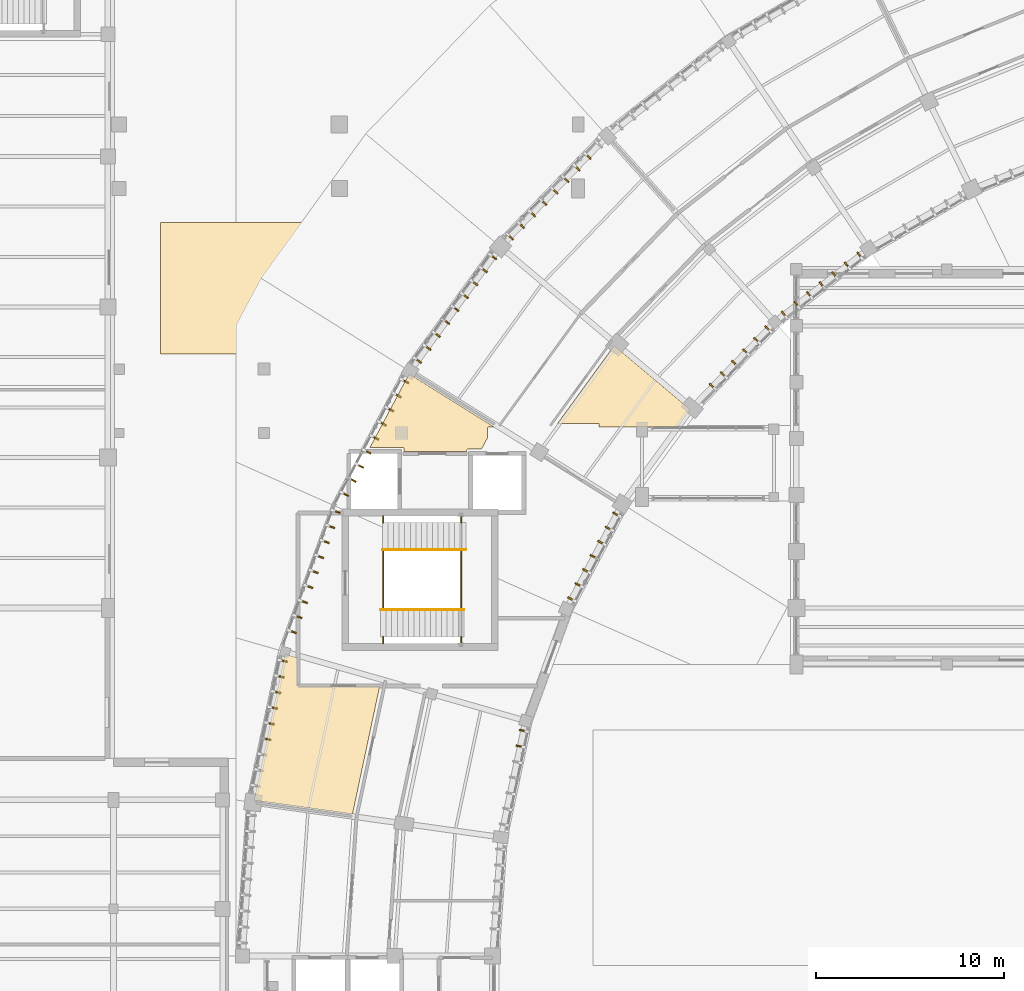
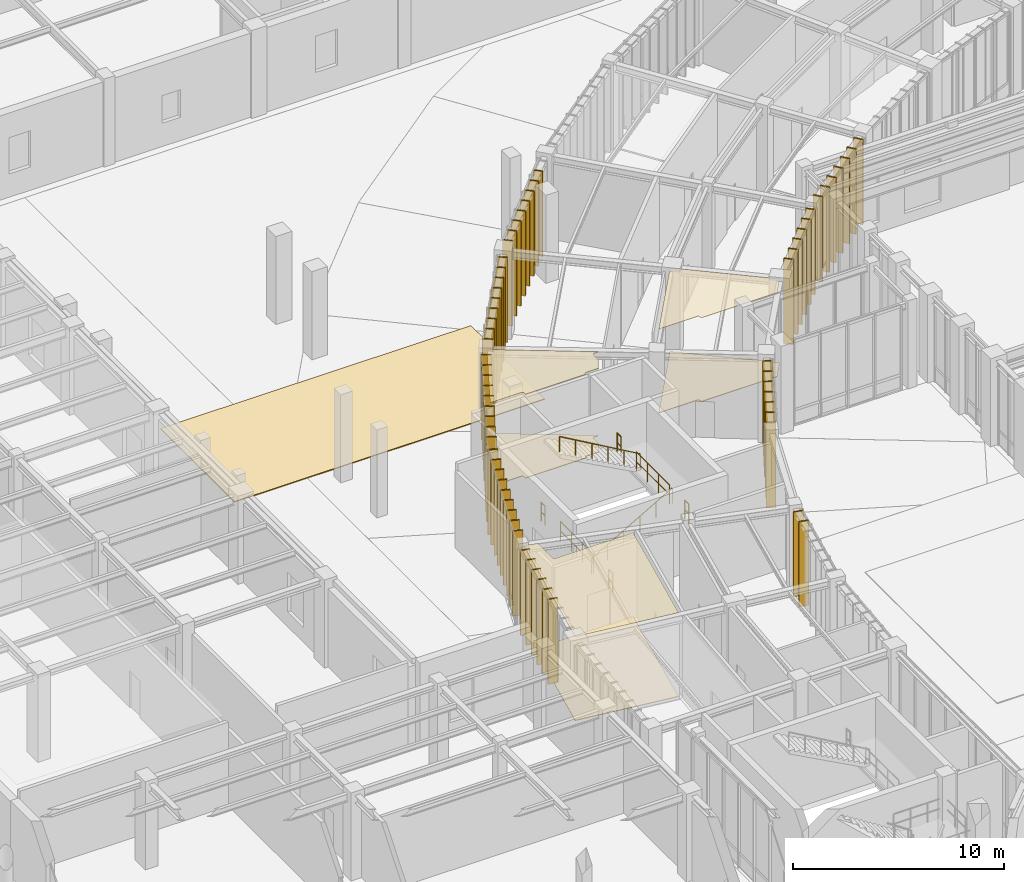
# One storey, part 58 of 68: 70 coverings, 8 railings.
"""IFC4 building model written with IfcOpenShell, lengths in metres."""

from ifc_helpers import new_model, si_unit, direction, frame, origin, origin_2d, place, context, subcontext, project, spatial, polyline, rectangle, circle, outline, extrude, material, layer, layer_set, type_object, element, save


model = new_model("IFC4")

# Units and contexts
model_context = context("Model", 3, precision=1e-05, world=origin(), true_north=direction((0.0, 1.0)))
body_context = subcontext(model_context, "Body", "Model", "MODEL_VIEW")
ifc_project = project(units=[si_unit("LENGTHUNIT", "METRE"), si_unit("AREAUNIT", "SQUARE_METRE"), si_unit("VOLUMEUNIT", "CUBIC_METRE"), si_unit("PLANEANGLEUNIT", "RADIAN"), si_unit("MASSUNIT", "GRAM", prefix="KILO"), si_unit("THERMODYNAMICTEMPERATUREUNIT", "KELVIN"), si_unit("POWERUNIT", "WATT")], contexts=[model_context])

# Site, building, storey
site_placement = place(None, origin())
site = spatial("IfcSite", under=ifc_project, at=site_placement, CompositionType="ELEMENT")
building_placement = place(site_placement, origin())
building = spatial("IfcBuilding", under=site, at=building_placement, Name="Solvatero Civic Police Headquarters", CompositionType="ELEMENT")
storey_placement = place(building_placement, origin())
storey = spatial("IfcBuildingStorey", under=building, at=storey_placement, Name="L00", CompositionType="ELEMENT", Elevation=0.0)

# Coverings
ifc_material_1 = material(Name="Mineral-Fibre Acoustic Tile", Category="gypsum")
ifc_layer_1 = layer(ifc_material_1, 0.02490234375)
ifc_layer_set_1 = layer_set([ifc_layer_1], Name="Mineral-Fibre Acoustic Tile")
covering_type_1 = type_object("IfcCoveringType", Name="COV-CEIL-AC", PredefinedType="CEILING", material=ifc_layer_set_1)
covering_1_placement = place(storey_placement, frame((0.0, 0.0, 4.85498046875)))
element("IfcCovering", 1, at=covering_1_placement, inside=storey, type_object=covering_type_1, Name="Acoustic Ceiling Public Inquiry Reception Bay 8", PredefinedType="CEILING", context=body_context, shape_type="SweptSolid", body=[
    extrude(outline(polyline([(55.110107421875, 58.449951171875), (59.161865234375, 55.0498046875), (58.486083984375, 54.1201171875), (54.320068359375, 54.1201171875), (54.320068359375, 54.239990234375), (54.319580078125, 54.247802734375), (54.318603515625, 54.255615234375), (54.316650390625, 54.26318359375), (54.31396484375, 54.2705078125), (54.310546875, 54.277587890625), (54.306396484375, 54.284423828125), (54.3017578125, 54.290771484375), (54.296630859375, 54.296630859375), (54.290771484375, 54.3017578125), (54.284423828125, 54.306396484375), (54.277587890625, 54.310546875), (54.2705078125, 54.31396484375), (54.26318359375, 54.316650390625), (54.255615234375, 54.318603515625), (54.247802734375, 54.319580078125), (54.239990234375, 54.320068359375), (52.109375, 54.320068359375), (55.110107421875, 58.449951171875)])), origin(), (0.0, 0.0, 1.0), 0.02490234375),
])
covering_2_placement = place(storey_placement, frame((0.0, 0.0, 4.85498046875)))
element("IfcCovering", 2, at=covering_2_placement, inside=storey, type_object=covering_type_1, Name="Acoustic Ceiling Patrol Sector Dispatch Office Bay 9", PredefinedType="CEILING", context=body_context, shape_type="SweptSolid", body=[
    extrude(outline(polyline([(43.93994140625, 52.820068359375), (43.93994140625, 52.9599609375), (43.939697265625, 52.9677734375), (43.9384765625, 52.9755859375), (43.9365234375, 52.983154296875), (43.933837890625, 52.990478515625), (43.9306640625, 52.997802734375), (43.926513671875, 53.00439453125), (43.921875, 53.0107421875), (43.91650390625, 53.0166015625), (43.910888671875, 53.021728515625), (43.904296875, 53.026611328125), (43.897705078125, 53.030517578125), (43.890625, 53.033935546875), (43.88330078125, 53.03662109375), (43.87548828125, 53.03857421875), (43.867919921875, 53.03955078125), (43.860107421875, 53.0400390625), (42.136962890625, 53.0400390625), (44.21337890625, 56.945068359375), (48.698974609375, 54.14208984375), (48.687255859375, 54.1201171875), (48.4599609375, 54.1201171875), (48.4521484375, 54.11962890625), (48.4443359375, 54.118408203125), (48.436767578125, 54.11669921875), (48.429443359375, 54.114013671875), (48.42236328125, 54.110595703125), (48.41552734375, 54.1064453125), (48.4091796875, 54.101806640625), (48.4033203125, 54.0966796875), (48.398193359375, 54.0908203125), (48.3935546875, 54.08447265625), (48.389404296875, 54.07763671875), (48.385986328125, 54.070556640625), (48.38330078125, 54.063232421875), (48.381591796875, 54.0556640625), (48.38037109375, 54.0478515625), (48.3798828125, 54.0400390625), (48.3798828125, 53.5419921875), (48.059814453125, 52.93994140625), (47.340087890625, 52.93994140625), (47.332275390625, 52.939697265625), (47.324462890625, 52.9384765625), (47.31689453125, 52.9365234375), (47.309326171875, 52.933837890625), (47.30224609375, 52.9306640625), (47.295654296875, 52.926513671875), (47.289306640625, 52.921875), (47.283447265625, 52.91650390625), (47.2783203125, 52.910888671875), (47.2734375, 52.904296875), (47.269287109375, 52.897705078125), (47.26611328125, 52.890625), (47.263427734375, 52.88330078125), (47.261474609375, 52.87548828125), (47.260498046875, 52.867919921875), (47.260009765625, 52.860107421875), (47.260009765625, 52.820068359375), (43.93994140625, 52.820068359375)])), origin(), (0.0, 0.0, 1.0), 0.02490234375),
])
covering_3_placement = place(storey_placement, frame((0.0, 0.0, 4.85498046875)))
element("IfcCovering", 3, at=covering_3_placement, inside=storey, type_object=covering_type_1, Name="Acoustic Ceiling Patrol Sector Dispatch Office Bay 11", PredefinedType="CEILING", context=body_context, shape_type="SweptSolid", body=[
    extrude(outline(polyline([(41.203857421875, 33.541259765625), (35.9658203125, 34.27734375), (37.616455078125, 42.04296875), (38.300048828125, 41.846923828125), (38.300048828125, 40.43994140625), (38.30029296875, 40.43212890625), (38.301513671875, 40.42431640625), (38.303466796875, 40.416748046875), (38.30615234375, 40.409423828125), (38.309326171875, 40.40234375), (38.3134765625, 40.3955078125), (38.318115234375, 40.38916015625), (38.323486328125, 40.38330078125), (38.3291015625, 40.378173828125), (38.335693359375, 40.37353515625), (38.34228515625, 40.369384765625), (38.349365234375, 40.3662109375), (38.356689453125, 40.36328125), (38.364501953125, 40.361572265625), (38.372314453125, 40.3603515625), (38.3798828125, 40.360107421875), (42.6533203125, 40.360107421875), (41.203857421875, 33.541259765625)])), origin(), (0.0, 0.0, 1.0), 0.02490234375),
])
ifc_material_2 = material(Name="Anodized Bronze Aluminium", Category="aluminium")
ifc_layer_2 = layer(ifc_material_2, 0.080078125)
ifc_layer_set_2 = layer_set([ifc_layer_2], Name="Anodized Bronze Aluminium")
covering_type_2 = type_object("IfcCoveringType", Name="COV-FIN-480", PredefinedType="CLADDING", material=ifc_layer_set_2)
for number, where, z_axis, x_axis, name in (
    (4, (68.187744140625, 63.21826171875, -0.02001953125), (0.0, 0.0, 1.0), (-0.788010753607, -0.615661475326, 0.0), "Vertical Brise-Soleil Fin 0070"),
    (5, (67.517822265625, 62.695068359375, -0.02001953125), (0.0, 0.0, 1.0), (-0.788010753607, -0.615661475326, 0.0), "Vertical Brise-Soleil Fin 0071"),
    (6, (66.84814453125, 62.171630859375, -0.02001953125), (0.0, 0.0, 1.0), (-0.788010753607, -0.615661475326, 0.0), "Vertical Brise-Soleil Fin 0072"),
    (7, (66.17822265625, 61.6484375, -0.02001953125), (0.0, 0.0, 1.0), (-0.788010753607, -0.615661475326, 0.0), "Vertical Brise-Soleil Fin 0073"),
    (8, (65.508544921875, 61.125, -0.02001953125), (0.0, 0.0, 1.0), (-0.788010753607, -0.615661475326, 0.0), "Vertical Brise-Soleil Fin 0074"),
    (9, (64.838623046875, 60.601806640625, -0.02001953125), (0.0, 0.0, 1.0), (-0.788010753607, -0.615661475326, 0.0), "Vertical Brise-Soleil Fin 0075"),
    (10, (64.1689453125, 60.07861328125, -0.02001953125), (0.0, 0.0, 1.0), (-0.788010753607, -0.615661475326, 0.0), "Vertical Brise-Soleil Fin 0076"),
    (11, (53.70654296875, 68.527099609375, -0.02001953125), (0.0, 0.0, 1.0), (-0.694658370459, -0.719339800339, 0.0), "Vertical Brise-Soleil Fin 0078"),
    (12, (53.115966796875, 67.915771484375, -0.02001953125), (0.0, 0.0, 1.0), (-0.694658370459, -0.719339800339, 0.0), "Vertical Brise-Soleil Fin 0079"),
    (13, (52.525634765625, 67.30419921875, -0.02001953125), (0.0, 0.0, 1.0), (-0.694658370459, -0.719339800339, 0.0), "Vertical Brise-Soleil Fin 0080"),
    (14, (51.93505859375, 66.69287109375, -0.02001953125), (0.0, 0.0, 1.0), (-0.694658370459, -0.719339800339, 0.0), "Vertical Brise-Soleil Fin 0081"),
    (15, (51.344482421875, 66.081298828125, -0.02001953125), (0.0, 0.0, 1.0), (-0.694658370459, -0.719339800339, 0.0), "Vertical Brise-Soleil Fin 0082"),
    (16, (50.754150390625, 65.469970703125, -0.02001953125), (0.0, 0.0, 1.0), (-0.694658370459, -0.719339800339, 0.0), "Vertical Brise-Soleil Fin 0083"),
    (17, (50.163818359375, 64.8583984375, -0.02001953125), (0.0, 0.0, 1.0), (-0.694658370459, -0.719339800339, 0.0), "Vertical Brise-Soleil Fin 0084"),
    (18, (49.5732421875, 64.2470703125, -0.02001953125), (0.0, 0.0, 1.0), (-0.694658370459, -0.719339800339, 0.0), "Vertical Brise-Soleil Fin 0085"),
    (19, (63.31103515625, 59.317626953125, -0.02001953125), (0.0, 0.0, 1.0), (-0.694658370459, -0.719339800339, 0.0), "Vertical Brise-Soleil Fin 0086"),
    (20, (62.720703125, 58.706298828125, -0.02001953125), (0.0, 0.0, 1.0), (-0.694658370459, -0.719339800339, 0.0), "Vertical Brise-Soleil Fin 0087"),
    (21, (62.130126953125, 58.0947265625, -0.02001953125), (0.0, 0.0, 1.0), (-0.694658370459, -0.719339800339, 0.0), "Vertical Brise-Soleil Fin 0088"),
    (22, (61.539794921875, 57.4833984375, -0.02001953125), (0.0, 0.0, 1.0), (-0.694658370459, -0.719339800339, 0.0), "Vertical Brise-Soleil Fin 0089"),
    (23, (60.94921875, 56.871826171875, -0.02001953125), (0.0, 0.0, 1.0), (-0.694658370459, -0.719339800339, 0.0), "Vertical Brise-Soleil Fin 0090"),
    (24, (60.35888671875, 56.260498046875, -0.02001953125), (0.0, 0.0, 1.0), (-0.694658370459, -0.719339800339, 0.0), "Vertical Brise-Soleil Fin 0091"),
    (25, (48.664794921875, 63.173095703125, -0.02001953125), (0.0, 0.0, 1.0), (-0.587785252292, -0.809016994375, 0.0), "Vertical Brise-Soleil Fin 0092"),
    (26, (48.165283203125, 62.4853515625, -0.02001953125), (0.0, 0.0, 1.0), (-0.587785252292, -0.809016994375, 0.0), "Vertical Brise-Soleil Fin 0093"),
    (27, (47.665771484375, 61.797607421875, -0.02001953125), (0.0, 0.0, 1.0), (-0.587785252292, -0.809016994375, 0.0), "Vertical Brise-Soleil Fin 0094"),
    (28, (47.166015625, 61.110107421875, -0.02001953125), (0.0, 0.0, 1.0), (-0.587785252292, -0.809016994375, 0.0), "Vertical Brise-Soleil Fin 0095"),
    (29, (46.66650390625, 60.42236328125, -0.02001953125), (0.0, 0.0, 1.0), (-0.587785252292, -0.809016994375, 0.0), "Vertical Brise-Soleil Fin 0096"),
    (30, (46.166748046875, 59.734619140625, -0.02001953125), (0.0, 0.0, 1.0), (-0.587785252292, -0.809016994375, 0.0), "Vertical Brise-Soleil Fin 0097"),
    (31, (45.667236328125, 59.047119140625, -0.02001953125), (0.0, 0.0, 1.0), (-0.587785252292, -0.809016994375, 0.0), "Vertical Brise-Soleil Fin 0098"),
    (32, (45.16748046875, 58.359375, -0.02001953125), (0.0, 0.0, 1.0), (-0.587785252292, -0.809016994375, 0.0), "Vertical Brise-Soleil Fin 0099"),
    (33, (44.66796875, 57.671630859375, -0.02001953125), (0.0, 0.0, 1.0), (-0.587785252292, -0.809016994375, 0.0), "Vertical Brise-Soleil Fin 0100"),
    (34, (43.9677734375, 56.568115234375, -0.02001953125), (0.0, 0.0, 1.0), (-0.469471562786, -0.882947592859, 0.0), "Vertical Brise-Soleil Fin 0101"),
    (35, (43.56884765625, 55.8173828125, -0.02001953125), (0.0, 0.0, 1.0), (-0.469471562786, -0.882947592859, 0.0), "Vertical Brise-Soleil Fin 0102"),
    (36, (43.169677734375, 55.06689453125, -0.02001953125), (0.0, 0.0, 1.0), (-0.469471562786, -0.882947592859, 0.0), "Vertical Brise-Soleil Fin 0103"),
    (37, (42.770751953125, 54.31640625, -0.02001953125), (0.0, 0.0, 1.0), (-0.469471562786, -0.882947592859, 0.0), "Vertical Brise-Soleil Fin 0104"),
    (38, (42.37158203125, 53.56591796875, -0.02001953125), (0.0, 0.0, 1.0), (-0.469471562786, -0.882947592859, 0.0), "Vertical Brise-Soleil Fin 0105"),
    (39, (41.972412109375, 52.8154296875, -0.02001953125), (0.0, 0.0, 1.0), (-0.469471562786, -0.882947592859, 0.0), "Vertical Brise-Soleil Fin 0106"),
    (40, (41.573486328125, 52.06494140625, -0.02001953125), (0.0, 0.0, 1.0), (-0.469471562786, -0.882947592859, 0.0), "Vertical Brise-Soleil Fin 0107"),
    (41, (41.17431640625, 51.314453125, -0.02001953125), (0.0, 0.0, 1.0), (-0.469471562786, -0.882947592859, 0.0), "Vertical Brise-Soleil Fin 0108"),
    (42, (40.775390625, 50.56396484375, -0.02001953125), (0.0, 0.0, 1.0), (-0.469471562786, -0.882947592859, 0.0), "Vertical Brise-Soleil Fin 0109"),
    (43, (55.2578125, 49.45751953125, -0.02001953125), (0.0, 0.0, 1.0), (-0.469486973057, -0.8829393989, 0.0), "Vertical Brise-Soleil Fin 0110"),
    (44, (54.858642578125, 48.70703125, -0.02001953125), (0.0, 0.0, 1.0), (-0.469486973057, -0.8829393989, 0.0), "Vertical Brise-Soleil Fin 0111"),
    (45, (54.459716796875, 47.95654296875, -0.02001953125), (0.0, 0.0, 1.0), (-0.469486973057, -0.8829393989, 0.0), "Vertical Brise-Soleil Fin 0112"),
    (46, (54.060546875, 47.2060546875, -0.02001953125), (0.0, 0.0, 1.0), (-0.469486973057, -0.8829393989, 0.0), "Vertical Brise-Soleil Fin 0113"),
    (47, (53.66162109375, 46.45556640625, -0.02001953125), (0.0, 0.0, 1.0), (-0.469486973057, -0.8829393989, 0.0), "Vertical Brise-Soleil Fin 0114"),
    (48, (53.262451171875, 45.705078125, -0.02001953125), (0.0, 0.0, 1.0), (-0.469486973057, -0.8829393989, 0.0), "Vertical Brise-Soleil Fin 0115"),
    (49, (52.86328125, 44.95458984375, -0.02001953125), (0.0, 0.0, 1.0), (-0.469486973057, -0.8829393989, 0.0), "Vertical Brise-Soleil Fin 0116"),
    (50, (40.31884765625, 49.632568359375, -0.02001953125), (0.0, 0.0, 1.0), (-0.342003742543, -0.93969859002, 0.0), "Vertical Brise-Soleil Fin 0117"),
    (51, (40.028076171875, 48.833740234375, -0.02001953125), (0.0, 0.0, 1.0), (-0.342003742543, -0.93969859002, 0.0), "Vertical Brise-Soleil Fin 0118"),
    (52, (39.7373046875, 48.03515625, -0.02001953125), (0.0, 0.0, 1.0), (-0.342003742543, -0.93969859002, 0.0), "Vertical Brise-Soleil Fin 0119"),
    (53, (39.44677734375, 47.236328125, -0.02001953125), (0.0, 0.0, 1.0), (-0.342003742543, -0.93969859002, 0.0), "Vertical Brise-Soleil Fin 0120"),
    (54, (39.156005859375, 46.4375, -0.02001953125), (0.0, 0.0, 1.0), (-0.342003742543, -0.93969859002, 0.0), "Vertical Brise-Soleil Fin 0121"),
    (55, (38.865234375, 45.638916015625, -0.02001953125), (0.0, 0.0, 1.0), (-0.342003742543, -0.93969859002, 0.0), "Vertical Brise-Soleil Fin 0122"),
    (56, (38.57470703125, 44.840087890625, -0.02001953125), (0.0, 0.0, 1.0), (-0.342003742543, -0.93969859002, 0.0), "Vertical Brise-Soleil Fin 0123"),
    (57, (38.283935546875, 44.04150390625, -0.02001953125), (0.0, 0.0, 1.0), (-0.342003742543, -0.93969859002, 0.0), "Vertical Brise-Soleil Fin 0124"),
    (58, (37.9931640625, 43.24267578125, -0.02001953125), (0.0, 0.0, 1.0), (-0.342003742543, -0.93969859002, 0.0), "Vertical Brise-Soleil Fin 0125"),
    (59, (37.501220703125, 41.69091796875, -0.02001953125), (0.0, 0.0, 1.0), (-0.207911690818, -0.978147600734, 0.0), "Vertical Brise-Soleil Fin 0126"),
    (60, (37.324462890625, 40.859619140625, -0.02001953125), (0.0, 0.0, 1.0), (-0.207911690818, -0.978147600734, 0.0), "Vertical Brise-Soleil Fin 0127"),
    (61, (37.147705078125, 40.028076171875, -0.02001953125), (0.0, 0.0, 1.0), (-0.207911690818, -0.978147600734, 0.0), "Vertical Brise-Soleil Fin 0128"),
    (62, (36.970947265625, 39.196533203125, -0.02001953125), (0.0, 0.0, 1.0), (-0.207911690818, -0.978147600734, 0.0), "Vertical Brise-Soleil Fin 0129"),
    (63, (36.794189453125, 38.365234375, -0.02001953125), (0.0, 0.0, 1.0), (-0.207911690818, -0.978147600734, 0.0), "Vertical Brise-Soleil Fin 0130"),
    (64, (36.617431640625, 37.53369140625, -0.02001953125), (0.0, 0.0, 1.0), (-0.207911690818, -0.978147600734, 0.0), "Vertical Brise-Soleil Fin 0131"),
    (65, (50.3134765625, 37.968017578125, -0.02001953125), (0.0, 0.0, 1.0), (-0.207911690818, -0.978147600734, 0.0), "Vertical Brise-Soleil Fin 0135"),
    (66, (50.13671875, 37.136474609375, -0.02001953125), (0.0, 0.0, 1.0), (-0.207911690818, -0.978147600734, 0.0), "Vertical Brise-Soleil Fin 0136"),
):
    element("IfcCovering", number, at=place(storey_placement, frame(where, z_axis=z_axis, x_axis=x_axis)), inside=storey, type_object=covering_type_2, Name=name, PredefinedType="CLADDING", context=body_context, shape_type="SweptSolid", body=[
        extrude(rectangle(XDim=0.080078125, YDim=0.47998046875, at=origin_2d()), origin(), (0.0, 0.0, 1.0), 4.919921875),
    ])
ifc_material_3 = material(Name="Venetian Terrazzo Stone", Category="masonry")
ifc_layer_3 = layer(ifc_material_3, 0.034912109375)
ifc_layer_set_3 = layer_set([ifc_layer_3], Name="Venetian Terrazzo Stone")
covering_type_3 = type_object("IfcCoveringType", Name="COV-FLR-TER", PredefinedType="FLOORING", material=ifc_layer_set_3)
covering_4_placement = place(storey_placement, origin())
element("IfcCovering", 67, at=covering_4_placement, inside=storey, type_object=covering_type_3, Name="Flooring Public Inquiry Reception Bay 8", PredefinedType="FLOORING", context=body_context, shape_type="SweptSolid", body=[
    extrude(outline(polyline([(55.110107421875, 58.449951171875), (59.161865234375, 55.0498046875), (58.486083984375, 54.1201171875), (54.320068359375, 54.1201171875), (54.320068359375, 54.239990234375), (54.319580078125, 54.247802734375), (54.318603515625, 54.255615234375), (54.316650390625, 54.26318359375), (54.31396484375, 54.2705078125), (54.310546875, 54.277587890625), (54.306396484375, 54.284423828125), (54.3017578125, 54.290771484375), (54.296630859375, 54.296630859375), (54.290771484375, 54.3017578125), (54.284423828125, 54.306396484375), (54.277587890625, 54.310546875), (54.2705078125, 54.31396484375), (54.26318359375, 54.316650390625), (54.255615234375, 54.318603515625), (54.247802734375, 54.319580078125), (54.239990234375, 54.320068359375), (52.109375, 54.320068359375), (55.110107421875, 58.449951171875)])), origin(), (0.0, 0.0, 1.0), 0.034912109375),
])
covering_5_placement = place(storey_placement, origin())
element("IfcCovering", 68, at=covering_5_placement, inside=storey, type_object=covering_type_3, Name="Flooring Patrol Sector Dispatch Office Bay 9", PredefinedType="FLOORING", context=body_context, shape_type="SweptSolid", body=[
    extrude(outline(polyline([(43.93994140625, 52.820068359375), (43.93994140625, 52.9599609375), (43.939697265625, 52.9677734375), (43.9384765625, 52.9755859375), (43.9365234375, 52.983154296875), (43.933837890625, 52.990478515625), (43.9306640625, 52.997802734375), (43.926513671875, 53.00439453125), (43.921875, 53.0107421875), (43.91650390625, 53.0166015625), (43.910888671875, 53.021728515625), (43.904296875, 53.026611328125), (43.897705078125, 53.030517578125), (43.890625, 53.033935546875), (43.88330078125, 53.03662109375), (43.87548828125, 53.03857421875), (43.867919921875, 53.03955078125), (43.860107421875, 53.0400390625), (42.136962890625, 53.0400390625), (44.21337890625, 56.945068359375), (48.698974609375, 54.14208984375), (48.687255859375, 54.1201171875), (48.4599609375, 54.1201171875), (48.4521484375, 54.11962890625), (48.4443359375, 54.118408203125), (48.436767578125, 54.11669921875), (48.429443359375, 54.114013671875), (48.42236328125, 54.110595703125), (48.41552734375, 54.1064453125), (48.4091796875, 54.101806640625), (48.4033203125, 54.0966796875), (48.398193359375, 54.0908203125), (48.3935546875, 54.08447265625), (48.389404296875, 54.07763671875), (48.385986328125, 54.070556640625), (48.38330078125, 54.063232421875), (48.381591796875, 54.0556640625), (48.38037109375, 54.0478515625), (48.3798828125, 54.0400390625), (48.3798828125, 53.5419921875), (48.059814453125, 52.93994140625), (47.340087890625, 52.93994140625), (47.332275390625, 52.939697265625), (47.324462890625, 52.9384765625), (47.31689453125, 52.9365234375), (47.309326171875, 52.933837890625), (47.30224609375, 52.9306640625), (47.295654296875, 52.926513671875), (47.289306640625, 52.921875), (47.283447265625, 52.91650390625), (47.2783203125, 52.910888671875), (47.2734375, 52.904296875), (47.269287109375, 52.897705078125), (47.26611328125, 52.890625), (47.263427734375, 52.88330078125), (47.261474609375, 52.87548828125), (47.260498046875, 52.867919921875), (47.260009765625, 52.860107421875), (47.260009765625, 52.820068359375), (43.93994140625, 52.820068359375)])), origin(), (0.0, 0.0, 1.0), 0.034912109375),
])
covering_6_placement = place(storey_placement, origin())
element("IfcCovering", 69, at=covering_6_placement, inside=storey, type_object=covering_type_3, Name="Flooring Patrol Sector Dispatch Office Bay 11", PredefinedType="FLOORING", context=body_context, shape_type="SweptSolid", body=[
    extrude(outline(polyline([(41.203857421875, 33.541259765625), (35.9658203125, 34.27734375), (37.616455078125, 42.04296875), (38.300048828125, 41.846923828125), (38.300048828125, 40.43994140625), (38.30029296875, 40.43212890625), (38.301513671875, 40.42431640625), (38.303466796875, 40.416748046875), (38.30615234375, 40.409423828125), (38.309326171875, 40.40234375), (38.3134765625, 40.3955078125), (38.318115234375, 40.38916015625), (38.323486328125, 40.38330078125), (38.3291015625, 40.378173828125), (38.335693359375, 40.37353515625), (38.34228515625, 40.369384765625), (38.349365234375, 40.3662109375), (38.356689453125, 40.36328125), (38.364501953125, 40.361572265625), (38.372314453125, 40.3603515625), (38.3798828125, 40.360107421875), (42.6533203125, 40.360107421875), (41.203857421875, 33.541259765625)])), origin(), (0.0, 0.0, 1.0), 0.034912109375),
])
ifc_material_4 = material(Name="Lombard Terracotta Clay Tile", Category="masonry")
ifc_layer_4 = layer(ifc_material_4, 0.06005859375)
ifc_layer_set_4 = layer_set([ifc_layer_4], Name="Lombard Terracotta Clay Tile")
covering_type_4 = type_object("IfcCoveringType", Name="COV-RF-TILE", PredefinedType="ROOFING", material=ifc_layer_set_4)
covering_7_placement = place(storey_placement, origin())
element("IfcCovering", 70, at=covering_7_placement, inside=storey, type_object=covering_type_4, Name="Civic Forecourt Parterre COURT-PARTERRE-S", PredefinedType="FLOORING", context=body_context, shape_type="SweptSolid", body=[
    extrude(outline(polyline([(31.0, 58.0), (48.0, 58.0), (48.0, 65.0), (31.0, 65.0), (31.0, 58.0)])), origin(), (0.0, 0.0, 1.0), 0.050048828125),
])

# Railings
ifc_material_5 = material(Name="Painted Galvanized Steel", Category="steel")
railing_type_1 = type_object("IfcRailingType", Name="RL-GRD-110", PredefinedType="GUARDRAIL", material=ifc_material_5)
railing_1_placement = place(storey_placement, frame((42.830078125, 44.429931640625, 0.0)))
element("IfcRailing", 71, at=railing_1_placement, inside=storey, type_object=railing_type_1, Name="ST-C2 L00 Floor Well Guardrail", PredefinedType="GUARDRAIL", context=body_context, shape_type="SweptSolid", body=[
    extrude(circle(Radius=0.02392578125, at=origin_2d()), frame((0.0, 0.0, 1.09619140625), z_axis=(0.0, 1.0, 0.0), x_axis=(-1.0, 0.0, 0.0)), (0.0, 0.0, 1.0), 3.14013671875),
    extrude(circle(Radius=0.02392578125, at=origin_2d()), frame((0.0, 0.0, 0.5361328125), z_axis=(0.0, 1.0, 0.0), x_axis=(-1.0, 0.0, 0.0)), (0.0, 0.0, 1.0), 3.14013671875),
    extrude(circle(Radius=0.02099609375, at=origin_2d()), origin(), (0.0, 0.0, 1.0), 1.072021484375),
    extrude(circle(Radius=0.02099609375, at=origin_2d()), frame((0.0, 1.046630859375, 0.0)), (0.0, 0.0, 1.0), 1.072021484375),
    extrude(circle(Radius=0.02099609375, at=origin_2d()), frame((0.0, 2.093505859375, 0.0)), (0.0, 0.0, 1.0), 1.072021484375),
    extrude(circle(Radius=0.02099609375, at=origin_2d()), frame((0.0, 3.14013671875, 0.0)), (0.0, 0.0, 1.0), 1.072021484375),
])
for number, where, name in (
    (72, (42.830078125, 42.610107421875, 0.0), "ST-C2 L00 Floor Well South Slot Guardrail"),
    (73, (42.830078125, 49.030029296875, 0.0), "ST-C2 L00 Floor Well North Slot Guardrail"),
):
    element("IfcRailing", number, at=place(storey_placement, frame(where)), inside=storey, type_object=railing_type_1, Name=name, PredefinedType="GUARDRAIL", context=body_context, shape_type="SweptSolid", body=[
        extrude(circle(Radius=0.02392578125, at=origin_2d()), frame((0.0, 0.0, 1.09619140625), z_axis=(0.0, 1.0, 0.0), x_axis=(-1.0, 0.0, 0.0)), (0.0, 0.0, 1.0), 0.35986328125),
        extrude(circle(Radius=0.02392578125, at=origin_2d()), frame((0.0, 0.0, 0.5361328125), z_axis=(0.0, 1.0, 0.0), x_axis=(-1.0, 0.0, 0.0)), (0.0, 0.0, 1.0), 0.35986328125),
        extrude(circle(Radius=0.02099609375, at=origin_2d()), origin(), (0.0, 0.0, 1.0), 1.072021484375),
        extrude(circle(Radius=0.02099609375, at=origin_2d()), frame((0.0, 0.35986328125, 0.0)), (0.0, 0.0, 1.0), 1.072021484375),
    ])
railing_2_placement = place(storey_placement, frame((46.9951171875, 44.429931640625, 2.550048828125)))
element("IfcRailing", 74, at=railing_2_placement, inside=storey, type_object=railing_type_1, Name="ST-C2 L00 Half-Landing Well Guardrail", PredefinedType="GUARDRAIL", context=body_context, shape_type="SweptSolid", body=[
    extrude(circle(Radius=0.02392578125, at=origin_2d()), frame((0.0, 0.0, 1.09619140625), z_axis=(0.0, 1.0, 0.0), x_axis=(-1.0, 0.0, 0.0)), (0.0, 0.0, 1.0), 3.14013671875),
    extrude(circle(Radius=0.02392578125, at=origin_2d()), frame((0.0, 0.0, 0.5361328125), z_axis=(0.0, 1.0, 0.0), x_axis=(-1.0, 0.0, 0.0)), (0.0, 0.0, 1.0), 3.14013671875),
    extrude(circle(Radius=0.02099609375, at=origin_2d()), origin(), (0.0, 0.0, 1.0), 1.072021484375),
    extrude(circle(Radius=0.02099609375, at=origin_2d()), frame((0.0, 1.046630859375, 0.0)), (0.0, 0.0, 1.0), 1.072021484375),
    extrude(circle(Radius=0.02099609375, at=origin_2d()), frame((0.0, 2.093505859375, 0.0)), (0.0, 0.0, 1.0), 1.072021484375),
    extrude(circle(Radius=0.02099609375, at=origin_2d()), frame((0.0, 3.14013671875, 0.0)), (0.0, 0.0, 1.0), 1.072021484375),
])
for number, where, name in (
    (75, (46.9951171875, 42.610107421875, 2.550048828125), "ST-C2 L00 Half-Landing South Slot Guardrail"),
    (76, (46.9951171875, 49.030029296875, 2.550048828125), "ST-C2 L00 Half-Landing North Slot Guardrail"),
):
    element("IfcRailing", number, at=place(storey_placement, frame(where)), inside=storey, type_object=railing_type_1, Name=name, PredefinedType="GUARDRAIL", context=body_context, shape_type="SweptSolid", body=[
        extrude(circle(Radius=0.02392578125, at=origin_2d()), frame((0.0, 0.0, 1.09619140625), z_axis=(0.0, 1.0, 0.0), x_axis=(-1.0, 0.0, 0.0)), (0.0, 0.0, 1.0), 0.35986328125),
        extrude(circle(Radius=0.02392578125, at=origin_2d()), frame((0.0, 0.0, 0.5361328125), z_axis=(0.0, 1.0, 0.0), x_axis=(-1.0, 0.0, 0.0)), (0.0, 0.0, 1.0), 0.35986328125),
        extrude(circle(Radius=0.02099609375, at=origin_2d()), origin(), (0.0, 0.0, 1.0), 1.072021484375),
        extrude(circle(Radius=0.02099609375, at=origin_2d()), frame((0.0, 0.35986328125, 0.0)), (0.0, 0.0, 1.0), 1.072021484375),
    ])
ifc_material_6 = material(Name="Brushed Stainless Steel", Category="steel")
railing_type_2 = type_object("IfcRailingType", Name="RL-HND-092", PredefinedType="HANDRAIL", material=ifc_material_6)
railing_3_placement = place(storey_placement, frame((42.699951171875, 44.39990234375, 0.0)))
element("IfcRailing", 77, at=railing_3_placement, inside=storey, type_object=railing_type_2, Name="ST-C2 L00 Flight 1 Handrail", PredefinedType="HANDRAIL", context=body_context, shape_type="SweptSolid", body=[
    extrude(circle(Radius=0.02392578125, at=origin_2d()), frame((0.0, 0.0, 0.89599609375), z_axis=(0.866428212428, 0.0, 0.499301665038), x_axis=(0.0, 1.0, 0.0)), (0.0, 0.0, 1.0), 5.107177734375),
    extrude(circle(Radius=0.02099609375, at=origin_2d()), origin(), (0.0, 0.0, 1.0), 0.871826171875),
    extrude(circle(Radius=0.02099609375, at=origin_2d()), frame((0.885009765625, 0.0, 0.510009765625)), (0.0, 0.0, 1.0), 0.871826171875),
    extrude(circle(Radius=0.02099609375, at=origin_2d()), frame((1.77001953125, 0.0, 1.02001953125)), (0.0, 0.0, 1.0), 0.871826171875),
    extrude(circle(Radius=0.02099609375, at=origin_2d()), frame((2.655029296875, 0.0, 1.530029296875)), (0.0, 0.0, 1.0), 0.871826171875),
    extrude(circle(Radius=0.02099609375, at=origin_2d()), frame((3.5400390625, 0.0, 2.0400390625)), (0.0, 0.0, 1.0), 0.871826171875),
    extrude(circle(Radius=0.02099609375, at=origin_2d()), frame((4.425048828125, 0.0, 2.550048828125)), (0.0, 0.0, 1.0), 0.871826171875),
])
railing_4_placement = place(storey_placement, frame((47.22509765625, 47.60009765625, 2.550048828125)))
element("IfcRailing", 78, at=railing_4_placement, inside=storey, type_object=railing_type_2, Name="ST-C2 L00 Flight 2 Handrail", PredefinedType="HANDRAIL", context=body_context, shape_type="SweptSolid", body=[
    extrude(circle(Radius=0.02392578125, at=origin_2d()), frame((0.0, 0.0, 0.89599609375), z_axis=(-0.866428212428, 0.0, 0.499301665038), x_axis=(0.0, -1.0, 0.0)), (0.0, 0.0, 1.0), 5.107177734375),
    extrude(circle(Radius=0.02099609375, at=origin_2d()), origin(), (0.0, 0.0, 1.0), 0.871826171875),
    extrude(circle(Radius=0.02099609375, at=origin_2d()), frame((-0.885009765625, 0.0, 0.510009765625)), (0.0, 0.0, 1.0), 0.871826171875),
    extrude(circle(Radius=0.02099609375, at=origin_2d()), frame((-1.77001953125, 0.0, 1.02001953125)), (0.0, 0.0, 1.0), 0.871826171875),
    extrude(circle(Radius=0.02099609375, at=origin_2d()), frame((-2.655029296875, 0.0, 1.530029296875)), (0.0, 0.0, 1.0), 0.871826171875),
    extrude(circle(Radius=0.02099609375, at=origin_2d()), frame((-3.5400390625, 0.0, 2.0400390625)), (0.0, 0.0, 1.0), 0.871826171875),
    extrude(circle(Radius=0.02099609375, at=origin_2d()), frame((-4.425048828125, 0.0, 2.550048828125)), (0.0, 0.0, 1.0), 0.871826171875),
])

save(model, "model.ifc")
